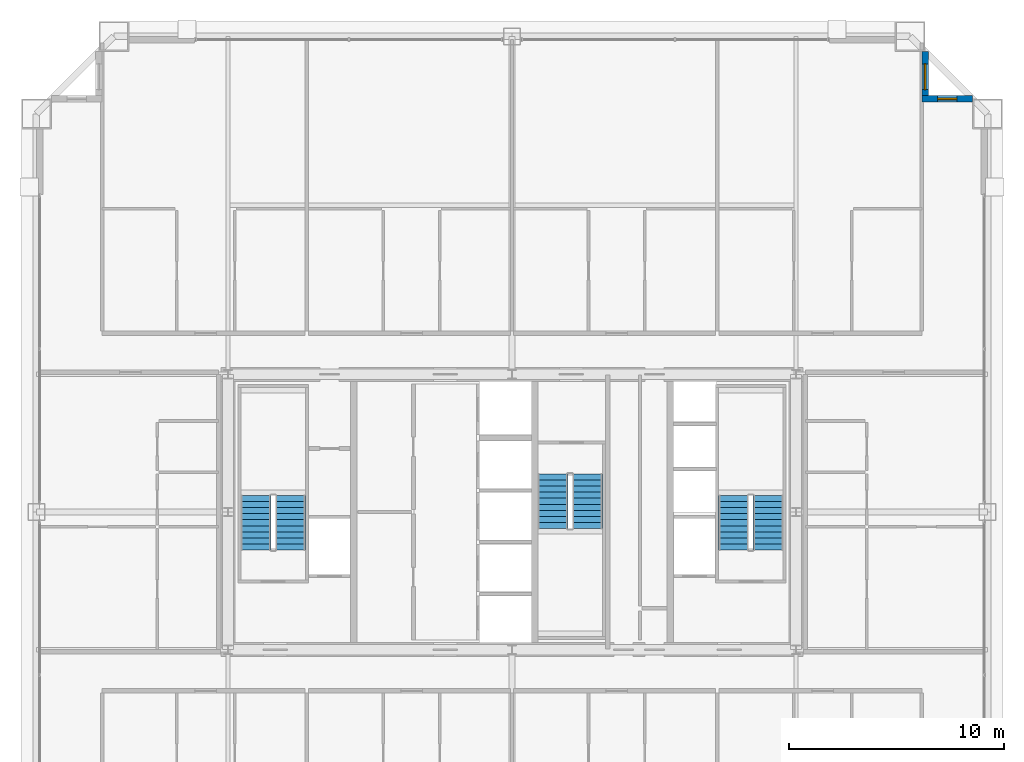
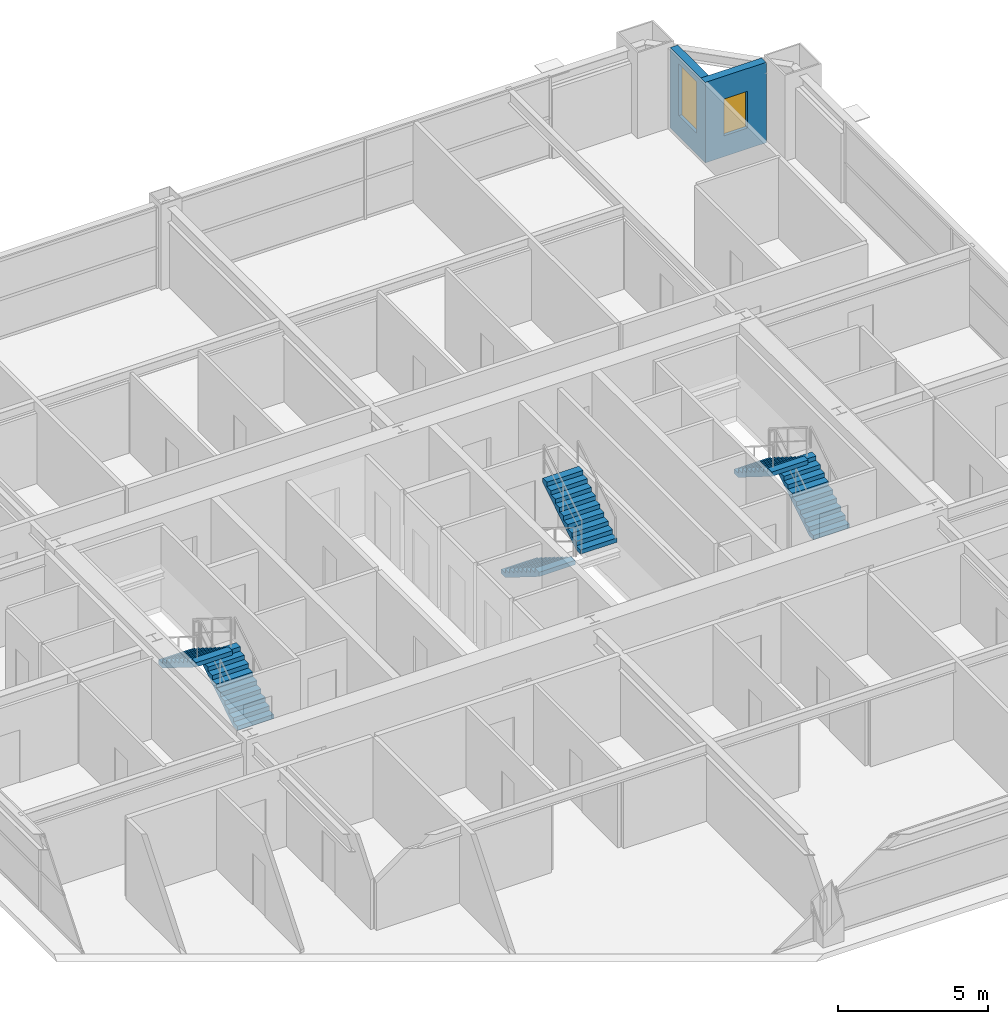
# One storey, part 37 of 38: 6 stair flights, 2 walls, 2 windows, 2 openings, 3 elements without a shape of their own.
"""IFC4 building model written with IfcOpenShell, lengths in metres."""

import ifcopenshell
import ifcopenshell.guid

model = None  # the IFC model being written
_history = None  # IfcOwnerHistory: only IFC2X3 demands one
_inside = {}  # id of a spatial element -> (the spatial element, [elements in it])
_under = {}  # id of a project, library or spatial element -> (it, [spatial elements below it])
_declared = {}  # id of a project -> (the project, [libraries it declares])
_typed = {}  # id of a type object -> (the type object, [elements of that type])
_made_of = {}  # id of a material, layer set ... -> (it, [elements and type objects made of it])


def new_model(schema):
    """Start an empty IFC model of exactly this schema.

    Asked for "IFC4X3", IfcOpenShell would pick the latest addendum, in which some entities
    have other attributes; the version numbers below select the first issue.
    IFC2X3 requires an IfcOwnerHistory on every rooted entity: one is made here for all.
    """
    global model, _history
    if schema == "IFC4X3":
        model = ifcopenshell.file(schema_version=(4, 3, 0, 0))
    else:
        model = ifcopenshell.file(schema=schema)
    _inside.clear()
    _under.clear()
    _declared.clear()
    _typed.clear()
    _made_of.clear()
    _history = None
    if model.schema == "IFC2X3":
        org = make("IfcOrganization", Name="unknown")
        user = make(
            "IfcPersonAndOrganization",
            ThePerson=make("IfcPerson", FamilyName="unknown"),
            TheOrganization=org,
        )
        app = make(
            "IfcApplication",
            ApplicationDeveloper=org,
            Version="unknown",
            ApplicationFullName="unknown",
            ApplicationIdentifier="unknown",
        )
        _history = make(
            "IfcOwnerHistory",
            OwningUser=user,
            OwningApplication=app,
            ChangeAction="ADDED",
            CreationDate=0,
        )
    return model


def make(cls, **values):
    """One entity of the class cls with the attributes given. An attribute that is None is left unset."""
    return model.create_entity(
        cls, **{name: value for name, value in values.items() if value is not None}
    )


def rooted(cls, **values):
    """An entity with a GlobalId (a new one), such as an element, a storey or a relation."""
    return make(cls, GlobalId=ifcopenshell.guid.new(), OwnerHistory=_history, **values)


def si_unit(unit_type, name, prefix=None):
    """IfcSIUnit, for example si_unit("LENGTHUNIT", "METRE", prefix="MILLI")."""
    return make("IfcSIUnit", UnitType=unit_type, Prefix=prefix, Name=name)


def assignment(units):
    """IfcUnitAssignment: the units of a project."""
    return None if units is None else make("IfcUnitAssignment", Units=units)


def point(xyz):
    """IfcCartesianPoint."""
    return None if xyz is None else make("IfcCartesianPoint", Coordinates=xyz)


def direction(xyz):
    """IfcDirection."""
    return None if xyz is None else make("IfcDirection", DirectionRatios=xyz)


def frame(location, z_axis=None, x_axis=None):
    """IfcAxis2Placement3D, a coordinate frame: its origin and axes. An axis left out is left unset."""
    return make(
        "IfcAxis2Placement3D",
        Location=point(location),
        Axis=direction(z_axis),
        RefDirection=direction(x_axis),
    )


def frame_2d(location, x_axis=None):
    """IfcAxis2Placement2D, a coordinate frame in the plane: its origin and x axis."""
    return make(
        "IfcAxis2Placement2D", Location=point(location), RefDirection=direction(x_axis)
    )


def origin():
    """The frame at (0, 0, 0) with its axes left unset."""
    return frame((0.0, 0.0, 0.0))


def place(relative_to, where):
    """IfcLocalPlacement: puts the frame where relative to a parent placement (None: the world)."""
    return make(
        "IfcLocalPlacement", PlacementRelTo=relative_to, RelativePlacement=where
    )


def context(
    kind, dimensions, precision=None, world=None, true_north=None, identifier=None
):
    """IfcGeometricRepresentationContext, for example the 3D "Model" context."""
    return make(
        "IfcGeometricRepresentationContext",
        ContextIdentifier=identifier,
        ContextType=kind,
        CoordinateSpaceDimension=dimensions,
        Precision=precision,
        WorldCoordinateSystem=world,
        TrueNorth=true_north,
    )


def subcontext(parent, identifier, kind, view, scale=None):
    """IfcGeometricRepresentationSubContext, for example "Body" below "Model"."""
    return make(
        "IfcGeometricRepresentationSubContext",
        ContextIdentifier=identifier,
        ContextType=kind,
        ParentContext=parent,
        TargetScale=scale,
        TargetView=view,
    )


def project(units=None, contexts=None):
    """IfcProject with its units and contexts."""
    return rooted(
        "IfcProject",
        Name="project",
        RepresentationContexts=contexts,
        UnitsInContext=assignment(units),
    )


def spatial(cls, under=None, at=None, **own):
    """A site, building, storey or space (cls), placed at a placement, below another one or the project."""
    s = rooted(cls, ObjectPlacement=at, **own)
    if under is not None:
        _under.setdefault(under.id(), (under, []))[1].append(s)
    return s


def polyline(points):
    """IfcPolyline through the points."""
    return make("IfcPolyline", Points=[point(p) for p in points])


def profile(cls, at=None, kind="AREA", **sizes):
    """A parametric profile (cls). Its sizes go by their IFC names, for example OverallWidth=200.0."""
    return make(cls, ProfileType=kind, Position=at, **sizes)


def rectangle(**sizes):
    """IfcRectangleProfileDef."""
    return profile("IfcRectangleProfileDef", **sizes)


def outline(outer, holes=None, kind="AREA"):
    """IfcArbitraryClosedProfileDef: a profile drawn as a closed curve; with holes, ...WithVoids."""
    if holes is None:
        return make("IfcArbitraryClosedProfileDef", ProfileType=kind, OuterCurve=outer)
    return make(
        "IfcArbitraryProfileDefWithVoids",
        ProfileType=kind,
        OuterCurve=outer,
        InnerCurves=holes,
    )


def extrude(swept, where, along, depth):
    """IfcExtrudedAreaSolid: the profile swept, set in the frame where, extruded along a direction by depth."""
    return make(
        "IfcExtrudedAreaSolid",
        SweptArea=swept,
        Position=where,
        ExtrudedDirection=direction(along),
        Depth=depth,
    )


def shape(context_of_items, identifier, shape_type, items):
    """IfcShapeRepresentation: the items that make up one representation, for example the "Body"."""
    return make(
        "IfcShapeRepresentation",
        ContextOfItems=context_of_items,
        RepresentationIdentifier=identifier,
        RepresentationType=shape_type,
        Items=items,
    )


def source(mapping_origin, context_of_items, identifier, shape_type, items):
    """IfcRepresentationMap: a shape defined once, which mapped items show again and again."""
    return make(
        "IfcRepresentationMap",
        MappingOrigin=mapping_origin,
        MappedRepresentation=shape(context_of_items, identifier, shape_type, items),
    )


def transform(
    local_origin,
    x_axis=None,
    y_axis=None,
    z_axis=None,
    scale=None,
    scale2=None,
    scale3=None,
    uniform=True,
):
    """IfcCartesianTransformationOperator3D, or its non-uniform kind. x_axis, y_axis, z_axis: its Axis1, 2, 3."""
    if uniform:
        return make(
            "IfcCartesianTransformationOperator3D",
            Axis1=direction(x_axis),
            Axis2=direction(y_axis),
            LocalOrigin=point(local_origin),
            Scale=scale,
            Axis3=direction(z_axis),
        )
    return make(
        "IfcCartesianTransformationOperator3DnonUniform",
        Axis1=direction(x_axis),
        Axis2=direction(y_axis),
        LocalOrigin=point(local_origin),
        Scale=scale,
        Axis3=direction(z_axis),
        Scale2=scale2,
        Scale3=scale3,
    )


def mapped(mapping_source, mapping_target):
    """IfcMappedItem: shows the shape of a source again, moved by a transform."""
    return make(
        "IfcMappedItem", MappingSource=mapping_source, MappingTarget=mapping_target
    )


def material(Name=None, Category=None):
    """IfcMaterial."""
    return make("IfcMaterial", Name=Name, Category=Category)


def layer(
    of_material, thickness, ventilated=None, Name=None, Category=None, Priority=None
):
    """IfcMaterialLayer: one layer of a wall or slab, of a material (None: an air gap)."""
    return make(
        "IfcMaterialLayer",
        Material=of_material,
        LayerThickness=thickness,
        IsVentilated=ventilated,
        Name=Name,
        Category=Category,
        Priority=Priority,
    )


def layer_set(layers, Name=None):
    """IfcMaterialLayerSet."""
    return make("IfcMaterialLayerSet", MaterialLayers=layers, LayerSetName=Name)


def made_of(thing, what):
    """Note that an element or type object is made of a material, layer set ...; save() writes the relation."""
    if what is not None:
        _made_of.setdefault(what.id(), (what, []))[1].append(thing)
    return thing


def type_object(cls, material=None, **own):
    """A type object (cls), such as IfcWallType, which elements share."""
    return made_of(rooted(cls, **own), material)


def element(
    cls,
    number,
    at=None,
    inside=None,
    cuts=None,
    type_object=None,
    material=None,
    context=None,
    identifier="Body",
    shape_type=None,
    held_by="IfcProductDefinitionShape",
    body=None,
    shapes=None,
    **own,
):
    """One element of the class cls, such as IfcWall. Its Tag is "e" and its number.

    at: its placement. inside: the storey or other place that contains it. cuts: it is an
    opening in that element (IfcRelVoidsElement). A single representation is given by context,
    identifier, shape_type and body (its items); several are given by shapes. held_by: the class
    of the entity that holds the representations. save() writes the other relations.
    """
    e = rooted(cls, Tag="e%d" % number, ObjectPlacement=at, **own)
    if body is not None:
        shapes = [shape(context, identifier, shape_type, body)]
    if shapes is not None:
        e.Representation = make(held_by, Representations=shapes)
    if inside is not None:
        _inside.setdefault(inside.id(), (inside, []))[1].append(e)
    if cuts is not None:
        rooted(
            "IfcRelVoidsElement", RelatingBuildingElement=cuts, RelatedOpeningElement=e
        )
    if type_object is not None:
        _typed.setdefault(type_object.id(), (type_object, []))[1].append(e)
    return made_of(e, material)


def fill(opening, filler):
    """IfcRelFillsElement: the door or window that sits in an opening."""
    return rooted(
        "IfcRelFillsElement",
        RelatingOpeningElement=opening,
        RelatedBuildingElement=filler,
    )


def aggregate(whole, parts):
    """IfcRelAggregates: a whole, such as a stair, and the parts it consists of."""
    return rooted("IfcRelAggregates", RelatingObject=whole, RelatedObjects=parts)


def save(model, path):
    """Write the relations noted so far, then the file.

    IfcRelAggregates (storeys below a building ...), IfcRelContainedInSpatialStructure (elements
    in a storey), IfcRelDefinesByType, IfcRelAssociatesMaterial and IfcRelDeclares: one each for
    every whole, place, type object, material and project.
    """
    for whole, parts in _under.values():
        aggregate(whole, parts)
    for where, things in _inside.values():
        rooted(
            "IfcRelContainedInSpatialStructure",
            RelatedElements=things,
            RelatingStructure=where,
        )
    for kind, things in _typed.values():
        rooted("IfcRelDefinesByType", RelatedObjects=things, RelatingType=kind)
    for what, things in _made_of.values():
        rooted("IfcRelAssociatesMaterial", RelatedObjects=things, RelatingMaterial=what)
    for by, libraries in _declared.values():
        rooted("IfcRelDeclares", RelatingContext=by, RelatedDefinitions=libraries)
    model.write(path)


model = new_model("IFC4")

# Units and contexts
model_context = context("Model", 3, precision=1e-05, world=origin(), true_north=direction((0.0, 1.0)))
body_context = subcontext(model_context, "Body", "Model", "MODEL_VIEW")
ifc_project = project(units=[si_unit("LENGTHUNIT", "METRE"), si_unit("AREAUNIT", "SQUARE_METRE"), si_unit("VOLUMEUNIT", "CUBIC_METRE"), si_unit("PLANEANGLEUNIT", "RADIAN"), si_unit("MASSUNIT", "GRAM", prefix="KILO"), si_unit("THERMODYNAMICTEMPERATUREUNIT", "KELVIN"), si_unit("POWERUNIT", "WATT")], contexts=[model_context])

# Site, building, storey
site_placement = place(None, origin())
site = spatial("IfcSite", under=ifc_project, at=site_placement, CompositionType="ELEMENT")
building_placement = place(site_placement, origin())
building = spatial("IfcBuilding", under=site, at=building_placement, Name="Yuzanri Waterfront Tower", CompositionType="ELEMENT")
storey_placement = place(building_placement, frame((0.0, 0.0, 181.0)))
storey = spatial("IfcBuildingStorey", under=building, at=storey_placement, Name="L47", CompositionType="ELEMENT", Elevation=181.0)

# Wall, opening, window
ifc_material_1 = material(Name="Honed Chongqing Dark Basalt Stone", Category="masonry")
ifc_layer = layer(ifc_material_1, 0.300048828125)
ifc_layer_set = layer_set([ifc_layer], Name="Honed Chongqing Dark Basalt Stone")
wall_type = type_object("IfcWallType", Name="Bronze Rainscreen Insulated Spandrel Portal Wall 300", PredefinedType="SOLIDWALL", material=ifc_layer_set)
wall_1_placement = place(storey_placement, frame((58.39990234375, 45.0, 0.0), z_axis=(0.0, 0.0, 1.0), x_axis=(-1.0, 0.0, 0.0)))
wall_1 = element("IfcWall", 1, at=wall_1_placement, inside=storey, type_object=wall_type, Name="L47 Notched Corner Masonry Wall NE-X", PredefinedType="SOLIDWALL", context=body_context, shape_type="SweptSolid", body=[
    extrude(rectangle(XDim=2.349853515625, YDim=0.300048828125, at=frame_2d((1.1748046875, 0.0))), origin(), (0.0, 0.0, 1.0), 3.280029296875),
])
opening_1_placement = place(wall_1_placement, frame((0.72509765625, 0.0, 0.85009765625)))
opening_1 = element("IfcOpeningElement", 2, at=opening_1_placement, cuts=wall_1, Name="Opening WN-05", PredefinedType="OPENING", context=body_context, shape_type="SweptSolid", body=[
    extrude(rectangle(XDim=0.89990234375, YDim=1.5, at=frame_2d((0.449951171875, 0.75))), frame((0.0, 0.1650390625, 0.0), z_axis=(0.0, -1.0, 0.0), x_axis=(1.0, 0.0, 0.0)), (0.0, 0.0, 1.0), 0.329833984375),
])
ifc_material_2 = material(Name="Double-Silver Low-E Insulated Glass", Category="glass")
window_type_1 = type_object("IfcWindowType", Name="Anodized Bronze Service and Stairwell Smoke-Vent Window 900x1500", PartitioningType="SINGLE_PANEL", PredefinedType="WINDOW", material=ifc_material_2)
shared_shape_1 = source(origin(), body_context, "Body", "SweptSolid", [
    extrude(rectangle(XDim=0.89990234375, YDim=1.5, at=frame_2d((0.449951171875, 0.75))), frame((0.0, 0.030029296875, 0.0), z_axis=(0.0, -1.0, 0.0), x_axis=(1.0, 0.0, 0.0)), (0.0, 0.0, 1.0), 0.06005859375),
])
window_1_placement = place(opening_1_placement, origin())
window_1 = element("IfcWindow", 3, at=window_1_placement, inside=storey, type_object=window_type_1, Name="L47 Notched Corner Window NE-X", OverallHeight=1.5, OverallWidth=0.89990234375, PartitioningType="SINGLE_PANEL", PredefinedType="WINDOW", context=body_context, shape_type="MappedRepresentation", body=[
    mapped(shared_shape_1, transform((0.0, 0.0, 0.0), scale=1.0)),
])
fill(opening_1, window_1)

wall_2_placement = place(storey_placement, frame((56.199951171875, 44.85009765625, 0.0), z_axis=(0.0, 0.0, 1.0), x_axis=(0.0, 1.0, 0.0)))
wall_2 = element("IfcWall", 4, at=wall_2_placement, inside=storey, type_object=wall_type, Name="L47 Notched Corner Masonry Wall NE-Y", PredefinedType="SOLIDWALL", context=body_context, shape_type="SweptSolid", body=[
    extrude(rectangle(XDim=2.349853515625, YDim=0.300048828125, at=frame_2d((1.1748046875, 0.0))), origin(), (0.0, 0.0, 1.0), 3.280029296875),
])
opening_2_placement = place(wall_2_placement, frame((0.574951171875, 0.0, 0.85009765625)))
opening_2 = element("IfcOpeningElement", 5, at=opening_2_placement, cuts=wall_2, Name="Opening WN-02", PredefinedType="OPENING", context=body_context, shape_type="SweptSolid", body=[
    extrude(rectangle(XDim=1.199951171875, YDim=2.10009765625, at=frame_2d((0.60009765625, 1.050048828125))), frame((0.0, 0.1650390625, 0.0), z_axis=(0.0, -1.0, 0.0), x_axis=(1.0, 0.0, 0.0)), (0.0, 0.0, 1.0), 0.329833984375),
])
ifc_material_3 = material(Name="Double-Silver Low-E Insulated Glass", Category="glass")
window_type_2 = type_object("IfcWindowType", Name="Anodized Bronze Notched Corner Deep-Set Slot Window 1200x2100", PartitioningType="SINGLE_PANEL", PredefinedType="WINDOW", material=ifc_material_3)
shared_shape_2 = source(origin(), body_context, "Body", "SweptSolid", [
    extrude(rectangle(XDim=1.199951171875, YDim=2.10009765625, at=frame_2d((0.60009765625, 1.050048828125))), frame((0.0, 0.030029296875, 0.0), z_axis=(0.0, -1.0, 0.0), x_axis=(1.0, 0.0, 0.0)), (0.0, 0.0, 1.0), 0.06005859375),
])
window_2_placement = place(opening_2_placement, origin())
window_2 = element("IfcWindow", 6, at=window_2_placement, inside=storey, type_object=window_type_2, Name="L47 Notched Corner Window NE-Y", OverallHeight=2.10009765625, OverallWidth=1.199951171875, PartitioningType="SINGLE_PANEL", PredefinedType="WINDOW", context=body_context, shape_type="MappedRepresentation", body=[
    mapped(shared_shape_2, transform((0.0, 0.0, 0.0), scale=1.0)),
])
fill(opening_2, window_2)

# Stair, stair flights
ifc_material_4 = material(Name="Concrete C40", Category="concrete")
stair_type = type_object("IfcStairType", Name="Concrete C40 Core Dogleg Exit Stair", PredefinedType="HALF_TURN_STAIR", material=ifc_material_4)
stair_1_placement = place(storey_placement, origin())
stair_1 = element("IfcStair", 7, at=stair_1_placement, inside=storey, type_object=stair_type, Name="L47 Smoke-Proof Core Stair ST-01", PredefinedType="HALF_TURN_STAIR")
ifc_material_5 = material(Name="Concrete C40", Category="concrete")
stair_flight_type = type_object("IfcStairFlightType", Name="Concrete C40 Precast Stair Flight 1380", PredefinedType="STRAIGHT", material=ifc_material_5)
shared_shape_3 = source(origin(), body_context, "Body", "SweptSolid", [
    extrude(outline(polyline([(0.0, 0.0), (0.0, 0.175048828125), (0.280029296875, 0.175048828125), (0.280029296875, 0.35009765625), (0.56005859375, 0.35009765625), (0.56005859375, 0.52490234375), (0.840087890625, 0.52490234375), (0.840087890625, 0.699951171875), (1.1201171875, 0.699951171875), (1.1201171875, 0.875), (1.39990234375, 0.875), (1.39990234375, 1.050048828125), (1.679931640625, 1.050048828125), (1.679931640625, 1.22509765625), (1.9599609375, 1.22509765625), (1.9599609375, 1.39990234375), (2.239990234375, 1.39990234375), (2.239990234375, 1.574951171875), (2.52001953125, 1.574951171875), (2.52001953125, 1.75), (2.52001953125, 1.398193359375), (0.28271484375, 0.0), (0.0, 0.0)])), frame((0.0, 0.699951171875, 0.0), z_axis=(0.0, -1.0, 0.0), x_axis=(1.0, 0.0, 0.0)), (0.0, 0.0, 1.0), 1.39990234375),
])
stair_flight_1_placement = place(storey_placement, frame((26.699951171875, 24.0400390625, 0.0), z_axis=(0.0, 0.0, 1.0), x_axis=(0.0, 1.0, 0.0)))
stair_flight_1 = element("IfcStairFlight", 8, at=stair_flight_1_placement, type_object=stair_flight_type, Name="ST-01 flight 1", NumberOfRisers=10, NumberOfTreads=9, PredefinedType="STRAIGHT", RiserHeight=0.175, TreadLength=0.28, context=body_context, shape_type="MappedRepresentation", body=[
    mapped(shared_shape_3, transform((0.0, 0.0, 0.0), scale=1.0)),
])
stair_flight_2_placement = place(storey_placement, frame((25.10009765625, 26.56005859375, 1.75), z_axis=(0.0, 0.0, 1.0), x_axis=(0.0, -1.0, 0.0)))
stair_flight_2 = element("IfcStairFlight", 9, at=stair_flight_2_placement, type_object=stair_flight_type, Name="ST-01 flight 2", NumberOfRisers=10, NumberOfTreads=9, PredefinedType="STRAIGHT", RiserHeight=0.175, TreadLength=0.28, context=body_context, shape_type="MappedRepresentation", body=[
    mapped(shared_shape_3, transform((0.0, 0.0, 0.0), scale=1.0)),
])
aggregate(stair_1, [stair_flight_1, stair_flight_2])

stair_2_placement = place(storey_placement, origin())
stair_2 = element("IfcStair", 10, at=stair_2_placement, inside=storey, type_object=stair_type, Name="L47 Smoke-Proof Core Stair ST-02", PredefinedType="HALF_TURN_STAIR")
stair_flight_3_placement = place(storey_placement, frame((48.89990234375, 24.0400390625, 0.0), z_axis=(0.0, 0.0, 1.0), x_axis=(0.0, 1.0, 0.0)))
stair_flight_3 = element("IfcStairFlight", 11, at=stair_flight_3_placement, type_object=stair_flight_type, Name="ST-02 flight 1", NumberOfRisers=10, NumberOfTreads=9, PredefinedType="STRAIGHT", RiserHeight=0.175, TreadLength=0.28, context=body_context, shape_type="MappedRepresentation", body=[
    mapped(shared_shape_3, transform((0.0, 0.0, 0.0), scale=1.0)),
])
stair_flight_4_placement = place(storey_placement, frame((47.300048828125, 26.56005859375, 1.75), z_axis=(0.0, 0.0, 1.0), x_axis=(0.0, -1.0, 0.0)))
stair_flight_4 = element("IfcStairFlight", 12, at=stair_flight_4_placement, type_object=stair_flight_type, Name="ST-02 flight 2", NumberOfRisers=10, NumberOfTreads=9, PredefinedType="STRAIGHT", RiserHeight=0.175, TreadLength=0.28, context=body_context, shape_type="MappedRepresentation", body=[
    mapped(shared_shape_3, transform((0.0, 0.0, 0.0), scale=1.0)),
])
aggregate(stair_2, [stair_flight_3, stair_flight_4])

stair_3_placement = place(storey_placement, origin())
stair_3 = element("IfcStair", 13, at=stair_3_placement, inside=storey, type_object=stair_type, Name="L47 Smoke-Proof Core Stair ST-03", PredefinedType="HALF_TURN_STAIR")
stair_flight_5_placement = place(storey_placement, frame((38.89990234375, 27.56005859375, 0.0), z_axis=(0.0, 0.0, 1.0), x_axis=(0.0, -1.0, 0.0)))
stair_flight_5 = element("IfcStairFlight", 14, at=stair_flight_5_placement, type_object=stair_flight_type, Name="ST-03 flight 1", NumberOfRisers=10, NumberOfTreads=9, PredefinedType="STRAIGHT", RiserHeight=0.175, TreadLength=0.28, context=body_context, shape_type="MappedRepresentation", body=[
    mapped(shared_shape_3, transform((0.0, 0.0, 0.0), scale=1.0)),
])
stair_flight_6_placement = place(storey_placement, frame((40.5, 25.0400390625, 1.75), z_axis=(0.0, 0.0, 1.0), x_axis=(0.0, 1.0, 0.0)))
stair_flight_6 = element("IfcStairFlight", 15, at=stair_flight_6_placement, type_object=stair_flight_type, Name="ST-03 flight 2", NumberOfRisers=10, NumberOfTreads=9, PredefinedType="STRAIGHT", RiserHeight=0.175, TreadLength=0.28, context=body_context, shape_type="MappedRepresentation", body=[
    mapped(shared_shape_3, transform((0.0, 0.0, 0.0), scale=1.0)),
])
aggregate(stair_3, [stair_flight_5, stair_flight_6])

save(model, "model.ifc")
